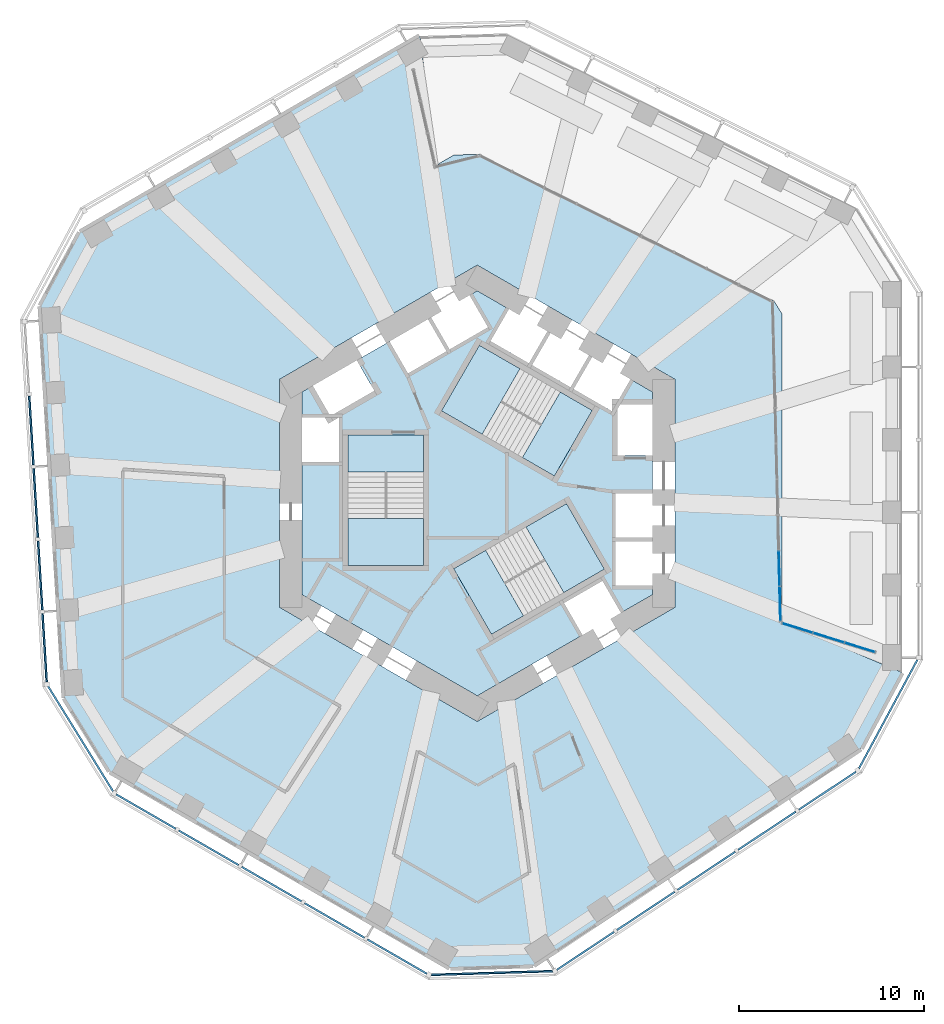
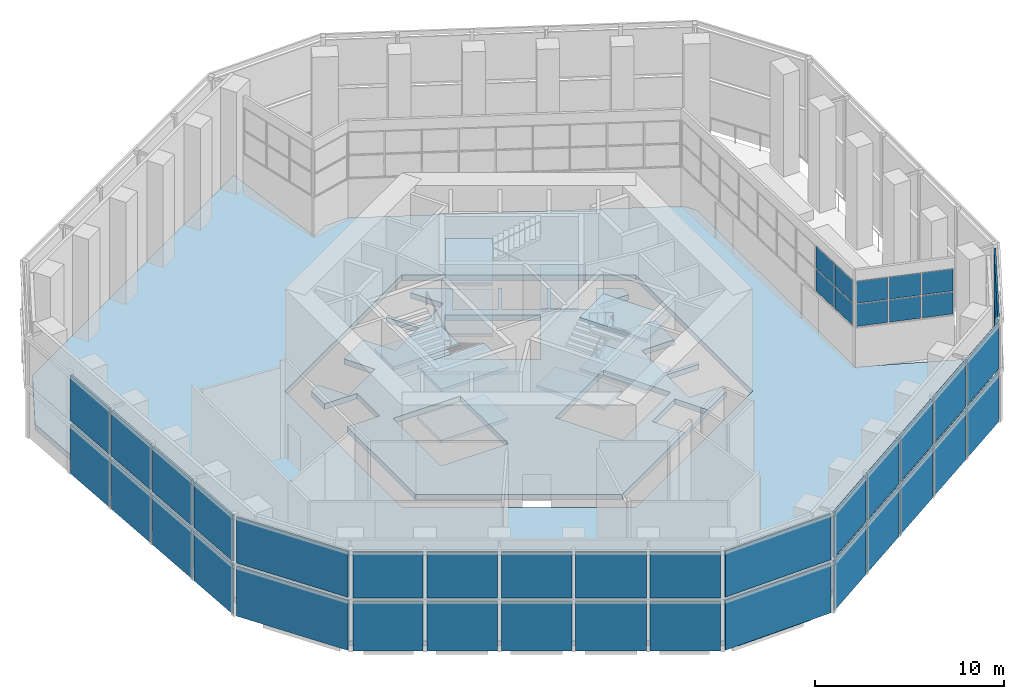
# One storey, part 6 of 17: 44 plates, 11 slabs, 11 elements without a shape of their own.
"""IFC4 building model written with IfcOpenShell, lengths in metres."""

from ifc_helpers import new_model, si_unit, direction, frame, origin, origin_2d, place, context, subcontext, project, spatial, polyline, rectangle, outline, extrude, material, layer, layer_set, type_object, element, aggregate, save


model = new_model("IFC4")

# Units and contexts
model_context = context("Model", 3, precision=1e-05, world=origin(), true_north=direction((0.0, 1.0)))
body_context = subcontext(model_context, "Body", "Model", "MODEL_VIEW")
ifc_project = project(units=[si_unit("LENGTHUNIT", "METRE"), si_unit("AREAUNIT", "SQUARE_METRE"), si_unit("VOLUMEUNIT", "CUBIC_METRE"), si_unit("PLANEANGLEUNIT", "RADIAN"), si_unit("MASSUNIT", "GRAM", prefix="KILO")], contexts=[model_context])

# Site, building, storey
site_placement = place(None, origin())
site = spatial("IfcSite", under=ifc_project, at=site_placement, CompositionType="ELEMENT")
building_placement = place(site_placement, origin())
building = spatial("IfcBuilding", under=site, at=building_placement, Name="Vanh Sen Convention Tower", CompositionType="ELEMENT")
storey_placement = place(building_placement, frame((0.0, 0.0, 77.0)))
storey = spatial("IfcBuildingStorey", under=building, at=storey_placement, Name="L17", CompositionType="ELEMENT", Elevation=77.0)

# Slabs
ifc_material_1 = material(Name="Concrete C40/50", Category="concrete")
ifc_layer_1 = layer(ifc_material_1, 0.35009765625)
ifc_layer_set_1 = layer_set([ifc_layer_1], Name="Concrete C40/50")
slab_type_1 = type_object("IfcSlabType", Name="Core slab 350", PredefinedType="FLOOR", material=ifc_layer_set_1)
slab_1_placement = place(storey_placement, frame((0.0, 0.0, -0.35009765625)))
element("IfcSlab", 1, at=slab_1_placement, inside=storey, type_object=slab_type_1, Name="Core slab L17", PredefinedType="FLOOR", context=body_context, shape_type="SweptSolid", body=[
    extrude(outline(polyline([(9.5, 5.48486328125), (9.5, 4.800048828125), (7.60009765625, 4.800048828125), (7.60009765625, 2.050048828125), (9.5, 2.050048828125), (9.5, 0.0), (7.5, 0.0), (7.5, -2.39990234375), (9.5, -2.39990234375), (9.5, -2.60009765625), (7.5, -2.60009765625), (7.5, -5.0), (9.5, -5.0), (9.5, -5.48486328125), (0.0, -10.9697265625), (-9.5, -5.48486328125), (-9.5, 1.699951171875), (-7.5, 1.699951171875), (-7.5, 4.10009765625), (-9.5, 4.10009765625), (-9.5, 5.48486328125), (-8.906982421875, 5.8271484375), (-7.956787109375, 4.181884765625), (-5.575439453125, 5.556884765625), (-6.525390625, 7.2021484375), (-4.75, 8.227294921875), (-3.75, 6.4951171875), (-1.67138671875, 7.6953125), (-2.67138671875, 9.42724609375), (-2.498291015625, 9.527099609375), (-1.498291015625, 7.795166015625), (0.580078125, 8.9951171875), (-0.419921875, 10.727294921875), (0.0, 10.9697265625), (1.718994140625, 9.977294921875), (0.718994140625, 8.2451171875), (2.79736328125, 7.045166015625), (3.79736328125, 8.777099609375), (3.970703125, 8.67724609375), (2.970703125, 6.9453125), (5.049072265625, 5.7451171875), (6.049072265625, 7.477294921875), (6.22216796875, 7.377197265625), (5.22216796875, 5.645263671875), (7.30078125, 4.4453125), (8.30078125, 6.17724609375), (9.5, 5.48486328125)]), holes=[polyline([(-7.0, 3.14990234375), (-7.0, -3.909912109375), (-2.89990234375, -3.909912109375), (-2.89990234375, 3.14990234375), (-2.89990234375, 1.1494140625), (-7.0, 1.1494140625), (-7.0, 3.14990234375)]), polyline([(4.495361328125, 5.487548828125), (6.22802734375, 4.4873046875), (0.11376953125, 8.01708984375), (-1.936279296875, 4.466552734375), (2.4453125, 1.936767578125), (4.495361328125, 5.487548828125)]), polyline([(7.781005859375, -6.477294921875), (6.781005859375, -4.7451171875), (4.70263671875, -5.9453125), (5.70263671875, -7.67724609375), (7.781005859375, -6.477294921875)]), polyline([(0.45458984375, -3.086181640625), (2.504638671875, -6.63671875), (6.88623046875, -4.107177734375), (4.836181640625, -0.556396484375), (-1.278076171875, -4.08642578125), (0.45458984375, -3.086181640625)])]), origin(), (0.0, 0.0, 1.0), 0.35009765625),
])
ifc_layer_2 = layer(ifc_material_1, 0.35009765625)
ifc_layer_set_2 = layer_set([ifc_layer_2], Name="Concrete C40/50")
slab_type_2 = type_object("IfcSlabType", Name="Floor slab 350, compartment floor REI 180", PredefinedType="FLOOR", material=ifc_layer_set_2)
slab_2_placement = place(storey_placement, frame((0.0, 0.0, -0.35009765625)))
element("IfcSlab", 2, at=slab_2_placement, inside=storey, type_object=slab_type_2, Name="Floor slab L17 interior", PredefinedType="FLOOR", context=body_context, shape_type="SweptSolid", body=[
    extrude(outline(polyline([(20.78271484375, -13.825927734375), (23.0, -9.69921875), (16.5, -6.9580078125), (16.5, 9.72509765625), (16.065673828125, 10.427001953125), (0.14599609375, 18.364501953125), (-1.2666015625, 18.3212890625), (-2.22412109375, 17.7685546875), (-3.10009765625, 24.768310546875), (-3.10009765625, 24.768310546875), (-21.523193359375, 14.131591796875), (-23.663818359375, 10.14794921875), (-22.364990234375, -11.085205078125), (-19.89990234375, -15.069091796875), (-1.476806640625, -25.705322265625), (3.04345703125, -25.5673828125), (20.78271484375, -13.825927734375)]), holes=[polyline([(0.0, 12.355224609375), (-10.699951171875, 6.177490234375), (-10.699951171875, -6.177490234375), (0.0, -12.355224609375), (10.699951171875, -6.177490234375), (10.699951171875, 6.177490234375), (0.0, 12.355224609375)])]), origin(), (0.0, 0.0, 1.0), 0.35009765625),
])

# Curtain wall, plates
ifc_material_2 = material(Name="Aluminium structural glazing system", Category="aluminium")
curtain_wall_type_1 = type_object("IfcCurtainWallType", Name="Sky garden structural glazing", PredefinedType="NOTDEFINED", material=ifc_material_2)
curtain_wall_1_placement = place(storey_placement, origin())
curtain_wall_1 = element("IfcCurtainWall", 3, at=curtain_wall_1_placement, inside=storey, type_object=curtain_wall_type_1, Name="Winter garden glazing 4 L17", PredefinedType="NOTDEFINED")
ifc_material_3 = material(Name="Clear toughened safety glass", Category="glass")
ifc_layer_3 = layer(ifc_material_3, 0.035888671875)
ifc_layer_set_3 = layer_set([ifc_layer_3], Name="Clear toughened safety glass")
plate_type_1 = type_object("IfcPlateType", Name="Garden glazing clear glass panel 36", PredefinedType="CURTAIN_PANEL", material=ifc_layer_set_3)
plate_1_placement = place(storey_placement, frame((16.352783203125, -4.066650390625, 2.669921875), z_axis=(0.0, 0.0, 1.0), x_axis=(0.024971939984, -0.999688152482, 0.0)))
plate_1 = element("IfcPlate", 4, at=plate_1_placement, type_object=plate_type_1, Name="CW5 panel 8.1", PredefinedType="CURTAIN_PANEL", context=body_context, shape_type="SweptSolid", body=[
    extrude(rectangle(XDim=1.86279296875, YDim=0.035888671875, at=origin_2d()), origin(), (0.0, 0.0, 1.0), 1.419921875),
])
plate_2_placement = place(storey_placement, frame((16.352783203125, -4.066650390625, 4.16015625), z_axis=(0.0, 0.0, 1.0), x_axis=(0.024971939984, -0.999688152482, 0.0)))
plate_2 = element("IfcPlate", 5, at=plate_2_placement, type_object=plate_type_1, Name="CW5 panel 8.2", PredefinedType="CURTAIN_PANEL", context=body_context, shape_type="SweptSolid", body=[
    extrude(rectangle(XDim=1.86279296875, YDim=0.035888671875, at=origin_2d()), origin(), (0.0, 0.0, 1.0), 1.419921875),
])
plate_3_placement = place(storey_placement, frame((16.400634765625, -5.9814453125, 2.669921875), z_axis=(0.0, 0.0, 1.0), x_axis=(0.024971939984, -0.999688152482, 0.0)))
plate_3 = element("IfcPlate", 6, at=plate_3_placement, type_object=plate_type_1, Name="CW5 panel 9.1", PredefinedType="CURTAIN_PANEL", context=body_context, shape_type="SweptSolid", body=[
    extrude(rectangle(XDim=1.827880859375, YDim=0.035888671875, at=origin_2d()), origin(), (0.0, 0.0, 1.0), 1.419921875),
])
plate_4_placement = place(storey_placement, frame((16.400634765625, -5.9814453125, 4.16015625), z_axis=(0.0, 0.0, 1.0), x_axis=(0.024971939984, -0.999688152482, 0.0)))
plate_4 = element("IfcPlate", 7, at=plate_4_placement, type_object=plate_type_1, Name="CW5 panel 9.2", PredefinedType="CURTAIN_PANEL", context=body_context, shape_type="SweptSolid", body=[
    extrude(rectangle(XDim=1.827880859375, YDim=0.035888671875, at=origin_2d()), origin(), (0.0, 0.0, 1.0), 1.419921875),
])
aggregate(curtain_wall_1, [plate_1, plate_2, plate_3, plate_4])

curtain_wall_2_placement = place(storey_placement, origin())
curtain_wall_2 = element("IfcCurtainWall", 8, at=curtain_wall_2_placement, inside=storey, type_object=curtain_wall_type_1, Name="Winter garden glazing 5 L17", PredefinedType="NOTDEFINED")
plate_5_placement = place(storey_placement, frame((17.341064453125, -7.297607421875, 2.669921875), z_axis=(0.0, 0.0, 1.0), x_axis=(0.954947012049, -0.296776353808, 0.0)))
plate_5 = element("IfcPlate", 9, at=plate_5_placement, type_object=plate_type_1, Name="CW5 panel 1.1", PredefinedType="CURTAIN_PANEL", context=body_context, shape_type="SweptSolid", body=[
    extrude(rectangle(XDim=1.682373046875, YDim=0.035888671875, at=origin_2d()), origin(), (0.0, 0.0, 1.0), 1.419921875),
])
plate_6_placement = place(storey_placement, frame((17.341064453125, -7.297607421875, 4.16015625), z_axis=(0.0, 0.0, 1.0), x_axis=(0.954947012049, -0.296776353808, 0.0)))
plate_6 = element("IfcPlate", 10, at=plate_6_placement, type_object=plate_type_1, Name="CW5 panel 1.2", PredefinedType="CURTAIN_PANEL", context=body_context, shape_type="SweptSolid", body=[
    extrude(rectangle(XDim=1.682373046875, YDim=0.035888671875, at=origin_2d()), origin(), (0.0, 0.0, 1.0), 1.419921875),
])
plate_7_placement = place(storey_placement, frame((19.03125, -7.822998046875, 2.669921875), z_axis=(0.0, 0.0, 1.0), x_axis=(0.954947012049, -0.296776353808, 0.0)))
plate_7 = element("IfcPlate", 11, at=plate_7_placement, type_object=plate_type_1, Name="CW5 panel 2.1", PredefinedType="CURTAIN_PANEL", context=body_context, shape_type="SweptSolid", body=[
    extrude(rectangle(XDim=1.717529296875, YDim=0.035888671875, at=origin_2d()), origin(), (0.0, 0.0, 1.0), 1.419921875),
])
plate_8_placement = place(storey_placement, frame((19.03125, -7.822998046875, 4.16015625), z_axis=(0.0, 0.0, 1.0), x_axis=(0.954947012049, -0.296776353808, 0.0)))
plate_8 = element("IfcPlate", 12, at=plate_8_placement, type_object=plate_type_1, Name="CW5 panel 2.2", PredefinedType="CURTAIN_PANEL", context=body_context, shape_type="SweptSolid", body=[
    extrude(rectangle(XDim=1.717529296875, YDim=0.035888671875, at=origin_2d()), origin(), (0.0, 0.0, 1.0), 1.419921875),
])
plate_9_placement = place(storey_placement, frame((20.721435546875, -8.34814453125, 2.669921875), z_axis=(0.0, 0.0, 1.0), x_axis=(0.954947012049, -0.296776353808, 0.0)))
plate_9 = element("IfcPlate", 13, at=plate_9_placement, type_object=plate_type_1, Name="CW5 panel 3.1", PredefinedType="CURTAIN_PANEL", context=body_context, shape_type="SweptSolid", body=[
    extrude(rectangle(XDim=1.682373046875, YDim=0.035888671875, at=origin_2d()), origin(), (0.0, 0.0, 1.0), 1.419921875),
])
plate_10_placement = place(storey_placement, frame((20.721435546875, -8.34814453125, 4.16015625), z_axis=(0.0, 0.0, 1.0), x_axis=(0.954947012049, -0.296776353808, 0.0)))
plate_10 = element("IfcPlate", 14, at=plate_10_placement, type_object=plate_type_1, Name="CW5 panel 3.2", PredefinedType="CURTAIN_PANEL", context=body_context, shape_type="SweptSolid", body=[
    extrude(rectangle(XDim=1.682373046875, YDim=0.035888671875, at=origin_2d()), origin(), (0.0, 0.0, 1.0), 1.419921875),
])
aggregate(curtain_wall_2, [plate_5, plate_6, plate_7, plate_8, plate_9, plate_10])

ifc_material_4 = material(Name="Concrete C50/60", Category="concrete")
curtain_wall_type_2 = type_object("IfcCurtainWallType", Name="Outer skin hotel zone", PredefinedType="NOTDEFINED", material=ifc_material_4)
curtain_wall_3_placement = place(storey_placement, origin())
curtain_wall_3 = element("IfcCurtainWall", 15, at=curtain_wall_3_placement, inside=storey, type_object=curtain_wall_type_2, Name="OUTER SKIN W L17", PredefinedType="NOTDEFINED")
ifc_layer_4 = layer(ifc_material_4, 0.10009765625)
ifc_layer_set_4 = layer_set([ifc_layer_4], Name="Concrete C50/60")
plate_type_2 = type_object("IfcPlateType", Name="Outer skin precast screen panel 100", PredefinedType="CURTAIN_PANEL", material=ifc_layer_set_4)
plate_11_placement = place(storey_placement, frame((-24.15283203125, 3.40380859375, 0.0), z_axis=(0.0, 0.0, 1.0), x_axis=(0.061048539535, -0.998134798422, 0.0)))
plate_11 = element("IfcPlate", 16, at=plate_11_placement, type_object=plate_type_2, Name="OUTER SKIN screen panel W-2", PredefinedType="CURTAIN_PANEL", context=body_context, shape_type="SweptSolid", body=[
    extrude(rectangle(XDim=3.734619140625, YDim=0.10009765625, at=origin_2d()), origin(), (0.0, 0.0, 1.0), 3.175048828125),
])
plate_12_placement = place(storey_placement, frame((-24.15283203125, 3.40380859375, 3.4248046875), z_axis=(0.0, 0.0, 1.0), x_axis=(0.061048539535, -0.998134798422, 0.0)))
plate_12 = element("IfcPlate", 17, at=plate_12_placement, type_object=plate_type_2, Name="OUTER SKIN screen panel W-2", PredefinedType="CURTAIN_PANEL", context=body_context, shape_type="SweptSolid", body=[
    extrude(rectangle(XDim=3.734619140625, YDim=0.10009765625, at=origin_2d()), origin(), (0.0, 0.0, 1.0), 2.925048828125),
])
plate_13_placement = place(storey_placement, frame((-23.91259765625, -0.523681640625, 0.0), z_axis=(0.0, 0.0, 1.0), x_axis=(0.061046797461, -0.99813490497, 0.0)))
plate_13 = element("IfcPlate", 18, at=plate_13_placement, type_object=plate_type_2, Name="OUTER SKIN screen panel W-3", PredefinedType="CURTAIN_PANEL", context=body_context, shape_type="SweptSolid", body=[
    extrude(rectangle(XDim=3.734619140625, YDim=0.10009765625, at=origin_2d()), origin(), (0.0, 0.0, 1.0), 3.175048828125),
])
plate_14_placement = place(storey_placement, frame((-23.91259765625, -0.523681640625, 3.4248046875), z_axis=(0.0, 0.0, 1.0), x_axis=(0.061046797461, -0.99813490497, 0.0)))
plate_14 = element("IfcPlate", 19, at=plate_14_placement, type_object=plate_type_2, Name="OUTER SKIN screen panel W-3", PredefinedType="CURTAIN_PANEL", context=body_context, shape_type="SweptSolid", body=[
    extrude(rectangle(XDim=3.734619140625, YDim=0.10009765625, at=origin_2d()), origin(), (0.0, 0.0, 1.0), 2.925048828125),
])
plate_15_placement = place(storey_placement, frame((-23.67236328125, -4.45068359375, 0.0), z_axis=(0.0, 0.0, 1.0), x_axis=(0.061048539535, -0.998134798422, 0.0)))
plate_15 = element("IfcPlate", 20, at=plate_15_placement, type_object=plate_type_2, Name="OUTER SKIN screen panel W-4", PredefinedType="CURTAIN_PANEL", context=body_context, shape_type="SweptSolid", body=[
    extrude(rectangle(XDim=3.734619140625, YDim=0.10009765625, at=origin_2d()), origin(), (0.0, 0.0, 1.0), 3.175048828125),
])
plate_16_placement = place(storey_placement, frame((-23.67236328125, -4.45068359375, 3.4248046875), z_axis=(0.0, 0.0, 1.0), x_axis=(0.061048539535, -0.998134798422, 0.0)))
plate_16 = element("IfcPlate", 21, at=plate_16_placement, type_object=plate_type_2, Name="OUTER SKIN screen panel W-4", PredefinedType="CURTAIN_PANEL", context=body_context, shape_type="SweptSolid", body=[
    extrude(rectangle(XDim=3.734619140625, YDim=0.10009765625, at=origin_2d()), origin(), (0.0, 0.0, 1.0), 2.925048828125),
])
plate_17_placement = place(storey_placement, frame((-23.43310546875, -8.365478515625, 0.0), z_axis=(0.0, 0.0, 1.0), x_axis=(0.061046797461, -0.99813490497, 0.0)))
plate_17 = element("IfcPlate", 22, at=plate_17_placement, type_object=plate_type_2, Name="OUTER SKIN screen panel W-5", PredefinedType="CURTAIN_PANEL", context=body_context, shape_type="SweptSolid", body=[
    extrude(rectangle(XDim=3.709716796875, YDim=0.10009765625, at=origin_2d()), origin(), (0.0, 0.0, 1.0), 3.175048828125),
])
plate_18_placement = place(storey_placement, frame((-23.43310546875, -8.365478515625, 3.4248046875), z_axis=(0.0, 0.0, 1.0), x_axis=(0.061046797461, -0.99813490497, 0.0)))
plate_18 = element("IfcPlate", 23, at=plate_18_placement, type_object=plate_type_2, Name="OUTER SKIN screen panel W-5", PredefinedType="CURTAIN_PANEL", context=body_context, shape_type="SweptSolid", body=[
    extrude(rectangle(XDim=3.709716796875, YDim=0.10009765625, at=origin_2d()), origin(), (0.0, 0.0, 1.0), 2.925048828125),
])
aggregate(curtain_wall_3, [plate_11, plate_12, plate_13, plate_14, plate_15, plate_16, plate_17, plate_18])

curtain_wall_4_placement = place(storey_placement, origin())
curtain_wall_4 = element("IfcCurtainWall", 24, at=curtain_wall_4_placement, inside=storey, type_object=curtain_wall_type_2, Name="OUTER SKIN CH4 L17", PredefinedType="NOTDEFINED")
plate_19_placement = place(storey_placement, frame((-21.484619140625, -13.295166015625, 0.0), z_axis=(0.0, 0.0, 1.0), x_axis=(0.526205018755, -0.850357735448, 0.0)))
plate_19 = element("IfcPlate", 25, at=plate_19_placement, type_object=plate_type_2, Name="OUTER SKIN screen panel CH4-1", PredefinedType="CURTAIN_PANEL", context=body_context, shape_type="SweptSolid", body=[
    extrude(rectangle(XDim=6.6962890625, YDim=0.10009765625, at=origin_2d()), origin(), (0.0, 0.0, 1.0), 3.175048828125),
])
plate_20_placement = place(storey_placement, frame((-21.484619140625, -13.295166015625, 3.4248046875), z_axis=(0.0, 0.0, 1.0), x_axis=(0.526205018755, -0.850357735448, 0.0)))
plate_20 = element("IfcPlate", 26, at=plate_20_placement, type_object=plate_type_2, Name="OUTER SKIN screen panel CH4-1", PredefinedType="CURTAIN_PANEL", context=body_context, shape_type="SweptSolid", body=[
    extrude(rectangle(XDim=6.6962890625, YDim=0.10009765625, at=origin_2d()), origin(), (0.0, 0.0, 1.0), 2.925048828125),
])
aggregate(curtain_wall_4, [plate_19, plate_20])

curtain_wall_5_placement = place(storey_placement, origin())
curtain_wall_5 = element("IfcCurtainWall", 27, at=curtain_wall_5_placement, inside=storey, type_object=curtain_wall_type_2, Name="OUTER SKIN SW L17", PredefinedType="NOTDEFINED")
plate_21_placement = place(storey_placement, frame((-17.9423828125, -17.23828125, 0.0), z_axis=(0.0, 0.0, 1.0), x_axis=(0.866028021766, -0.499995465495, 0.0)))
plate_21 = element("IfcPlate", 28, at=plate_21_placement, type_object=plate_type_2, Name="OUTER SKIN screen panel SW-1", PredefinedType="CURTAIN_PANEL", context=body_context, shape_type="SweptSolid", body=[
    extrude(rectangle(XDim=3.709716796875, YDim=0.10009765625, at=origin_2d()), origin(), (0.0, 0.0, 1.0), 3.175048828125),
])
plate_22_placement = place(storey_placement, frame((-17.9423828125, -17.23828125, 3.4248046875), z_axis=(0.0, 0.0, 1.0), x_axis=(0.866028021766, -0.499995465495, 0.0)))
plate_22 = element("IfcPlate", 29, at=plate_22_placement, type_object=plate_type_2, Name="OUTER SKIN screen panel SW-1", PredefinedType="CURTAIN_PANEL", context=body_context, shape_type="SweptSolid", body=[
    extrude(rectangle(XDim=3.709716796875, YDim=0.10009765625, at=origin_2d()), origin(), (0.0, 0.0, 1.0), 2.925048828125),
])
plate_23_placement = place(storey_placement, frame((-14.5458984375, -19.19921875, 0.0), z_axis=(0.0, 0.0, 1.0), x_axis=(0.866032385017, -0.499987907955, 0.0)))
plate_23 = element("IfcPlate", 30, at=plate_23_placement, type_object=plate_type_2, Name="OUTER SKIN screen panel SW-2", PredefinedType="CURTAIN_PANEL", context=body_context, shape_type="SweptSolid", body=[
    extrude(rectangle(XDim=3.734619140625, YDim=0.10009765625, at=origin_2d()), origin(), (0.0, 0.0, 1.0), 3.175048828125),
])
plate_24_placement = place(storey_placement, frame((-14.5458984375, -19.19921875, 3.4248046875), z_axis=(0.0, 0.0, 1.0), x_axis=(0.866032385017, -0.499987907955, 0.0)))
plate_24 = element("IfcPlate", 31, at=plate_24_placement, type_object=plate_type_2, Name="OUTER SKIN screen panel SW-2", PredefinedType="CURTAIN_PANEL", context=body_context, shape_type="SweptSolid", body=[
    extrude(rectangle(XDim=3.734619140625, YDim=0.10009765625, at=origin_2d()), origin(), (0.0, 0.0, 1.0), 2.925048828125),
])
plate_25_placement = place(storey_placement, frame((-11.138427734375, -21.16650390625, 0.0), z_axis=(0.0, 0.0, 1.0), x_axis=(0.866028021766, -0.499995465495, 0.0)))
plate_25 = element("IfcPlate", 32, at=plate_25_placement, type_object=plate_type_2, Name="OUTER SKIN screen panel SW-3", PredefinedType="CURTAIN_PANEL", context=body_context, shape_type="SweptSolid", body=[
    extrude(rectangle(XDim=3.734619140625, YDim=0.10009765625, at=origin_2d()), origin(), (0.0, 0.0, 1.0), 3.175048828125),
])
plate_26_placement = place(storey_placement, frame((-11.138427734375, -21.16650390625, 3.4248046875), z_axis=(0.0, 0.0, 1.0), x_axis=(0.866028021766, -0.499995465495, 0.0)))
plate_26 = element("IfcPlate", 33, at=plate_26_placement, type_object=plate_type_2, Name="OUTER SKIN screen panel SW-3", PredefinedType="CURTAIN_PANEL", context=body_context, shape_type="SweptSolid", body=[
    extrude(rectangle(XDim=3.734619140625, YDim=0.10009765625, at=origin_2d()), origin(), (0.0, 0.0, 1.0), 2.925048828125),
])
plate_27_placement = place(storey_placement, frame((-7.73095703125, -23.1337890625, 0.0), z_axis=(0.0, 0.0, 1.0), x_axis=(0.866028021766, -0.499995465495, 0.0)))
plate_27 = element("IfcPlate", 34, at=plate_27_placement, type_object=plate_type_2, Name="OUTER SKIN screen panel SW-4", PredefinedType="CURTAIN_PANEL", context=body_context, shape_type="SweptSolid", body=[
    extrude(rectangle(XDim=3.734619140625, YDim=0.10009765625, at=origin_2d()), origin(), (0.0, 0.0, 1.0), 3.175048828125),
])
plate_28_placement = place(storey_placement, frame((-7.73095703125, -23.1337890625, 3.4248046875), z_axis=(0.0, 0.0, 1.0), x_axis=(0.866028021766, -0.499995465495, 0.0)))
plate_28 = element("IfcPlate", 35, at=plate_28_placement, type_object=plate_type_2, Name="OUTER SKIN screen panel SW-4", PredefinedType="CURTAIN_PANEL", context=body_context, shape_type="SweptSolid", body=[
    extrude(rectangle(XDim=3.734619140625, YDim=0.10009765625, at=origin_2d()), origin(), (0.0, 0.0, 1.0), 2.925048828125),
])
plate_29_placement = place(storey_placement, frame((-4.334228515625, -25.094970703125, 0.0), z_axis=(0.0, 0.0, 1.0), x_axis=(0.866021040428, -0.500007557478, 0.0)))
plate_29 = element("IfcPlate", 36, at=plate_29_placement, type_object=plate_type_2, Name="OUTER SKIN screen panel SW-5", PredefinedType="CURTAIN_PANEL", context=body_context, shape_type="SweptSolid", body=[
    extrude(rectangle(XDim=3.70947265625, YDim=0.10009765625, at=origin_2d()), origin(), (0.0, 0.0, 1.0), 3.175048828125),
])
plate_30_placement = place(storey_placement, frame((-4.334228515625, -25.094970703125, 3.4248046875), z_axis=(0.0, 0.0, 1.0), x_axis=(0.866021040428, -0.500007557478, 0.0)))
plate_30 = element("IfcPlate", 37, at=plate_30_placement, type_object=plate_type_2, Name="OUTER SKIN screen panel SW-5", PredefinedType="CURTAIN_PANEL", context=body_context, shape_type="SweptSolid", body=[
    extrude(rectangle(XDim=3.70947265625, YDim=0.10009765625, at=origin_2d()), origin(), (0.0, 0.0, 1.0), 2.925048828125),
])
aggregate(curtain_wall_5, [plate_21, plate_22, plate_23, plate_24, plate_25, plate_26, plate_27, plate_28, plate_29, plate_30])

curtain_wall_6_placement = place(storey_placement, origin())
curtain_wall_6 = element("IfcCurtainWall", 38, at=curtain_wall_6_placement, inside=storey, type_object=curtain_wall_type_2, Name="OUTER SKIN CH5 L17", PredefinedType="NOTDEFINED")
plate_31_placement = place(storey_placement, frame((0.793701171875, -25.98046875, 0.0), z_axis=(0.0, 0.0, 1.0), x_axis=(0.999533484231, 0.03054200224, 0.0)))
plate_31 = element("IfcPlate", 39, at=plate_31_placement, type_object=plate_type_2, Name="OUTER SKIN screen panel CH5-1", PredefinedType="CURTAIN_PANEL", context=body_context, shape_type="SweptSolid", body=[
    extrude(rectangle(XDim=6.580078125, YDim=0.10009765625, at=origin_2d()), origin(), (0.0, 0.0, 1.0), 3.175048828125),
])
plate_32_placement = place(storey_placement, frame((0.793701171875, -25.98046875, 3.4248046875), z_axis=(0.0, 0.0, 1.0), x_axis=(0.999533484231, 0.03054200224, 0.0)))
plate_32 = element("IfcPlate", 40, at=plate_32_placement, type_object=plate_type_2, Name="OUTER SKIN screen panel CH5-1", PredefinedType="CURTAIN_PANEL", context=body_context, shape_type="SweptSolid", body=[
    extrude(rectangle(XDim=6.580078125, YDim=0.10009765625, at=origin_2d()), origin(), (0.0, 0.0, 1.0), 2.925048828125),
])
aggregate(curtain_wall_6, [plate_31, plate_32])

curtain_wall_7_placement = place(storey_placement, origin())
curtain_wall_7 = element("IfcCurtainWall", 41, at=curtain_wall_7_placement, inside=storey, type_object=curtain_wall_type_2, Name="OUTER SKIN SE L17", PredefinedType="NOTDEFINED")
plate_33_placement = place(storey_placement, frame((5.858154296875, -24.783447265625, 0.0), z_axis=(0.0, 0.0, 1.0), x_axis=(0.833891601892, 0.55192825285, 0.0)))
plate_33 = element("IfcPlate", 42, at=plate_33_placement, type_object=plate_type_2, Name="OUTER SKIN screen panel SE-1", PredefinedType="CURTAIN_PANEL", context=body_context, shape_type="SweptSolid", body=[
    extrude(rectangle(XDim=3.709716796875, YDim=0.10009765625, at=origin_2d()), origin(), (0.0, 0.0, 1.0), 3.175048828125),
])
plate_34_placement = place(storey_placement, frame((5.858154296875, -24.783447265625, 3.4248046875), z_axis=(0.0, 0.0, 1.0), x_axis=(0.833891601892, 0.55192825285, 0.0)))
plate_34 = element("IfcPlate", 43, at=plate_34_placement, type_object=plate_type_2, Name="OUTER SKIN screen panel SE-1", PredefinedType="CURTAIN_PANEL", context=body_context, shape_type="SweptSolid", body=[
    extrude(rectangle(XDim=3.709716796875, YDim=0.10009765625, at=origin_2d()), origin(), (0.0, 0.0, 1.0), 2.925048828125),
])
plate_35_placement = place(storey_placement, frame((9.128662109375, -22.618896484375, 0.0), z_axis=(0.0, 0.0, 1.0), x_axis=(0.833891601892, 0.55192825285, 0.0)))
plate_35 = element("IfcPlate", 44, at=plate_35_placement, type_object=plate_type_2, Name="OUTER SKIN screen panel SE-2", PredefinedType="CURTAIN_PANEL", context=body_context, shape_type="SweptSolid", body=[
    extrude(rectangle(XDim=3.734619140625, YDim=0.10009765625, at=origin_2d()), origin(), (0.0, 0.0, 1.0), 3.175048828125),
])
plate_36_placement = place(storey_placement, frame((9.128662109375, -22.618896484375, 3.4248046875), z_axis=(0.0, 0.0, 1.0), x_axis=(0.833891601892, 0.55192825285, 0.0)))
plate_36 = element("IfcPlate", 45, at=plate_36_placement, type_object=plate_type_2, Name="OUTER SKIN screen panel SE-2", PredefinedType="CURTAIN_PANEL", context=body_context, shape_type="SweptSolid", body=[
    extrude(rectangle(XDim=3.734619140625, YDim=0.10009765625, at=origin_2d()), origin(), (0.0, 0.0, 1.0), 2.925048828125),
])
plate_37_placement = place(storey_placement, frame((12.40966796875, -20.447265625, 0.0), z_axis=(0.0, 0.0, 1.0), x_axis=(0.833880042151, 0.551945717714, 0.0)))
plate_37 = element("IfcPlate", 46, at=plate_37_placement, type_object=plate_type_2, Name="OUTER SKIN screen panel SE-3", PredefinedType="CURTAIN_PANEL", context=body_context, shape_type="SweptSolid", body=[
    extrude(rectangle(XDim=3.734619140625, YDim=0.10009765625, at=origin_2d()), origin(), (0.0, 0.0, 1.0), 3.175048828125),
])
plate_38_placement = place(storey_placement, frame((12.40966796875, -20.447265625, 3.4248046875), z_axis=(0.0, 0.0, 1.0), x_axis=(0.833880042151, 0.551945717714, 0.0)))
plate_38 = element("IfcPlate", 47, at=plate_38_placement, type_object=plate_type_2, Name="OUTER SKIN screen panel SE-3", PredefinedType="CURTAIN_PANEL", context=body_context, shape_type="SweptSolid", body=[
    extrude(rectangle(XDim=3.734619140625, YDim=0.10009765625, at=origin_2d()), origin(), (0.0, 0.0, 1.0), 2.925048828125),
])
plate_39_placement = place(storey_placement, frame((15.690673828125, -18.275390625, 0.0), z_axis=(0.0, 0.0, 1.0), x_axis=(0.833891601892, 0.55192825285, 0.0)))
plate_39 = element("IfcPlate", 48, at=plate_39_placement, type_object=plate_type_2, Name="OUTER SKIN screen panel SE-4", PredefinedType="CURTAIN_PANEL", context=body_context, shape_type="SweptSolid", body=[
    extrude(rectangle(XDim=3.734619140625, YDim=0.10009765625, at=origin_2d()), origin(), (0.0, 0.0, 1.0), 3.175048828125),
])
plate_40_placement = place(storey_placement, frame((15.690673828125, -18.275390625, 3.4248046875), z_axis=(0.0, 0.0, 1.0), x_axis=(0.833891601892, 0.55192825285, 0.0)))
plate_40 = element("IfcPlate", 49, at=plate_40_placement, type_object=plate_type_2, Name="OUTER SKIN screen panel SE-4", PredefinedType="CURTAIN_PANEL", context=body_context, shape_type="SweptSolid", body=[
    extrude(rectangle(XDim=3.734619140625, YDim=0.10009765625, at=origin_2d()), origin(), (0.0, 0.0, 1.0), 2.925048828125),
])
plate_41_placement = place(storey_placement, frame((18.961181640625, -16.11083984375, 0.0), z_axis=(0.0, 0.0, 1.0), x_axis=(0.833880042151, 0.551945717714, 0.0)))
plate_41 = element("IfcPlate", 50, at=plate_41_placement, type_object=plate_type_2, Name="OUTER SKIN screen panel SE-5", PredefinedType="CURTAIN_PANEL", context=body_context, shape_type="SweptSolid", body=[
    extrude(rectangle(XDim=3.709716796875, YDim=0.10009765625, at=origin_2d()), origin(), (0.0, 0.0, 1.0), 3.175048828125),
])
plate_42_placement = place(storey_placement, frame((18.961181640625, -16.11083984375, 3.4248046875), z_axis=(0.0, 0.0, 1.0), x_axis=(0.833880042151, 0.551945717714, 0.0)))
plate_42 = element("IfcPlate", 51, at=plate_42_placement, type_object=plate_type_2, Name="OUTER SKIN screen panel SE-5", PredefinedType="CURTAIN_PANEL", context=body_context, shape_type="SweptSolid", body=[
    extrude(rectangle(XDim=3.709716796875, YDim=0.10009765625, at=origin_2d()), origin(), (0.0, 0.0, 1.0), 2.925048828125),
])
aggregate(curtain_wall_7, [plate_33, plate_34, plate_35, plate_36, plate_37, plate_38, plate_39, plate_40, plate_41, plate_42])

curtain_wall_8_placement = place(storey_placement, origin())
curtain_wall_8 = element("IfcCurtainWall", 52, at=curtain_wall_8_placement, inside=storey, type_object=curtain_wall_type_2, Name="OUTER SKIN CH6 L17", PredefinedType="NOTDEFINED")
plate_43_placement = place(storey_placement, frame((22.256103515625, -11.95849609375, 0.0), z_axis=(0.0, 0.0, 1.0), x_axis=(0.473322742071, 0.880889086003, 0.0)))
plate_43 = element("IfcPlate", 53, at=plate_43_placement, type_object=plate_type_2, Name="OUTER SKIN screen panel CH6-1", PredefinedType="CURTAIN_PANEL", context=body_context, shape_type="SweptSolid", body=[
    extrude(rectangle(XDim=6.6962890625, YDim=0.10009765625, at=origin_2d()), origin(), (0.0, 0.0, 1.0), 3.175048828125),
])
plate_44_placement = place(storey_placement, frame((22.256103515625, -11.95849609375, 3.4248046875), z_axis=(0.0, 0.0, 1.0), x_axis=(0.473322742071, 0.880889086003, 0.0)))
plate_44 = element("IfcPlate", 54, at=plate_44_placement, type_object=plate_type_2, Name="OUTER SKIN screen panel CH6-1", PredefinedType="CURTAIN_PANEL", context=body_context, shape_type="SweptSolid", body=[
    extrude(rectangle(XDim=6.6962890625, YDim=0.10009765625, at=origin_2d()), origin(), (0.0, 0.0, 1.0), 2.925048828125),
])
aggregate(curtain_wall_8, [plate_43, plate_44])

# Stair, slabs
ifc_material_5 = material(Name="Concrete C50/60", Category="concrete")
stair_type_1 = type_object("IfcStairType", Name="Exit stair ST1 40 risers at 165.0", PredefinedType="HALF_TURN_STAIR", material=ifc_material_5)
stair_1_placement = place(storey_placement, origin())
stair_1 = element("IfcStair", 55, at=stair_1_placement, inside=storey, type_object=stair_type_1, Name="Exit stair ST1 L17", PredefinedType="HALF_TURN_STAIR")
ifc_layer_5 = layer(ifc_material_1, 0.199951171875)
ifc_layer_set_5 = layer_set([ifc_layer_5], Name="Concrete C40/50")
slab_type_3 = type_object("IfcSlabType", Name="Stair landing 200", PredefinedType="LANDING", material=ifc_layer_set_5)
slab_3_placement = place(storey_placement, frame((0.0, 0.0, 1.449951171875)))
slab_3 = element("IfcSlab", 56, at=slab_3_placement, type_object=slab_type_3, Name="ST1 landing 1", PredefinedType="LANDING", context=body_context, shape_type="SweptSolid", body=[
    extrude(outline(polyline([(2.314208984375, 6.746826171875), (0.11376953125, 8.01708984375), (-1.936279296875, 4.466552734375), (0.26416015625, 3.196044921875), (2.314208984375, 6.746826171875)])), origin(), (0.0, 0.0, 1.0), 0.199951171875),
])
slab_4_placement = place(storey_placement, frame((0.0, 0.0, 3.10009765625)))
slab_4 = element("IfcSlab", 57, at=slab_4_placement, type_object=slab_type_3, Name="ST1 landing 2", PredefinedType="LANDING", context=body_context, shape_type="SweptSolid", body=[
    extrude(outline(polyline([(6.22802734375, 4.4873046875), (4.495361328125, 5.487548828125), (2.4453125, 1.936767578125), (4.177978515625, 0.9365234375), (6.22802734375, 4.4873046875)])), origin(), (0.0, 0.0, 1.0), 0.199951171875),
])
slab_5_placement = place(storey_placement, frame((0.0, 0.0, 4.75)))
slab_5 = element("IfcSlab", 58, at=slab_5_placement, type_object=slab_type_3, Name="ST1 landing 3", PredefinedType="LANDING", context=body_context, shape_type="SweptSolid", body=[
    extrude(outline(polyline([(2.314208984375, 6.746826171875), (0.11376953125, 8.01708984375), (-1.936279296875, 4.466552734375), (0.26416015625, 3.196044921875), (2.314208984375, 6.746826171875)])), origin(), (0.0, 0.0, 1.0), 0.199951171875),
])
aggregate(stair_1, [slab_3, slab_4, slab_5])

stair_type_2 = type_object("IfcStairType", Name="Exit stair ST2 40 risers at 165.0", PredefinedType="HALF_TURN_STAIR", material=ifc_material_5)
stair_2_placement = place(storey_placement, origin())
stair_2 = element("IfcStair", 59, at=stair_2_placement, inside=storey, type_object=stair_type_2, Name="Exit stair ST2 L17", PredefinedType="HALF_TURN_STAIR")
slab_6_placement = place(storey_placement, frame((0.0, 0.0, 1.449951171875)))
slab_6 = element("IfcSlab", 60, at=slab_6_placement, type_object=slab_type_3, Name="ST2 landing 1", PredefinedType="LANDING", context=body_context, shape_type="SweptSolid", body=[
    extrude(outline(polyline([(-7.0, -1.369384765625), (-7.0, -3.909912109375), (-2.89990234375, -3.909912109375), (-2.89990234375, -1.369384765625), (-7.0, -1.369384765625)])), origin(), (0.0, 0.0, 1.0), 0.199951171875),
])
slab_7_placement = place(storey_placement, frame((0.0, 0.0, 3.10009765625)))
slab_7 = element("IfcSlab", 61, at=slab_7_placement, type_object=slab_type_3, Name="ST2 landing 2", PredefinedType="LANDING", context=body_context, shape_type="SweptSolid", body=[
    extrude(outline(polyline([(-7.0, 3.14990234375), (-7.0, 1.1494140625), (-2.89990234375, 1.1494140625), (-2.89990234375, 3.14990234375), (-7.0, 3.14990234375)])), origin(), (0.0, 0.0, 1.0), 0.199951171875),
])
slab_8_placement = place(storey_placement, frame((0.0, 0.0, 4.75)))
slab_8 = element("IfcSlab", 62, at=slab_8_placement, type_object=slab_type_3, Name="ST2 landing 3", PredefinedType="LANDING", context=body_context, shape_type="SweptSolid", body=[
    extrude(outline(polyline([(-7.0, -1.369384765625), (-7.0, -3.909912109375), (-2.89990234375, -3.909912109375), (-2.89990234375, -1.369384765625), (-7.0, -1.369384765625)])), origin(), (0.0, 0.0, 1.0), 0.199951171875),
])
aggregate(stair_2, [slab_6, slab_7, slab_8])

stair_type_3 = type_object("IfcStairType", Name="Exit stair ST3 40 risers at 165.0", PredefinedType="HALF_TURN_STAIR", material=ifc_material_5)
stair_3_placement = place(storey_placement, origin())
stair_3 = element("IfcStair", 63, at=stair_3_placement, inside=storey, type_object=stair_type_3, Name="Exit stair ST3 L17", PredefinedType="HALF_TURN_STAIR")
slab_9_placement = place(storey_placement, frame((0.0, 0.0, 1.449951171875)))
slab_9 = element("IfcSlab", 64, at=slab_9_placement, type_object=slab_type_3, Name="ST3 landing 1", PredefinedType="LANDING", context=body_context, shape_type="SweptSolid", body=[
    extrude(outline(polyline([(4.685791015625, -5.37744140625), (6.88623046875, -4.107177734375), (4.836181640625, -0.556396484375), (2.6357421875, -1.826904296875), (4.685791015625, -5.37744140625)])), origin(), (0.0, 0.0, 1.0), 0.199951171875),
])
slab_10_placement = place(storey_placement, frame((0.0, 0.0, 3.10009765625)))
slab_10 = element("IfcSlab", 65, at=slab_10_placement, type_object=slab_type_3, Name="ST3 landing 2", PredefinedType="LANDING", context=body_context, shape_type="SweptSolid", body=[
    extrude(outline(polyline([(0.77197265625, -7.63720703125), (2.504638671875, -6.63671875), (0.45458984375, -3.086181640625), (-1.278076171875, -4.08642578125), (0.77197265625, -7.63720703125)])), origin(), (0.0, 0.0, 1.0), 0.199951171875),
])
slab_11_placement = place(storey_placement, frame((0.0, 0.0, 4.75)))
slab_11 = element("IfcSlab", 66, at=slab_11_placement, type_object=slab_type_3, Name="ST3 landing 3", PredefinedType="LANDING", context=body_context, shape_type="SweptSolid", body=[
    extrude(outline(polyline([(4.685791015625, -5.37744140625), (6.88623046875, -4.107177734375), (4.836181640625, -0.556396484375), (2.6357421875, -1.826904296875), (4.685791015625, -5.37744140625)])), origin(), (0.0, 0.0, 1.0), 0.199951171875),
])
aggregate(stair_3, [slab_9, slab_10, slab_11])

save(model, "model.ifc")
